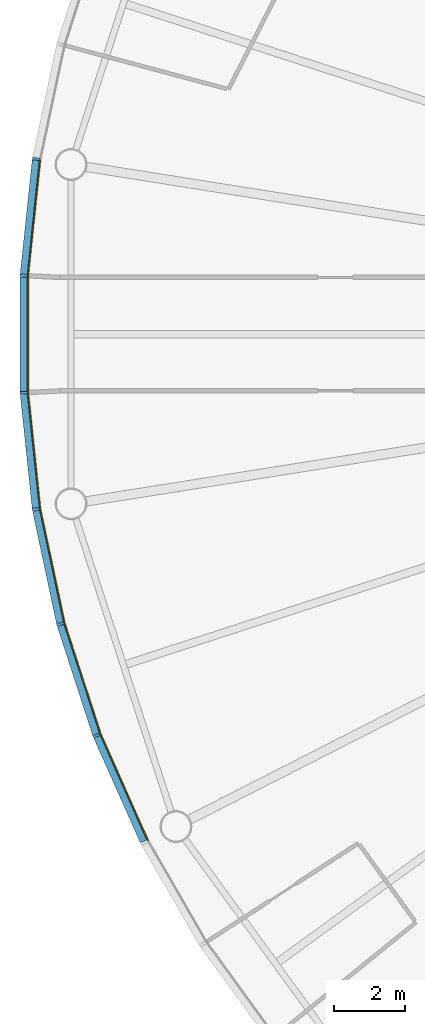
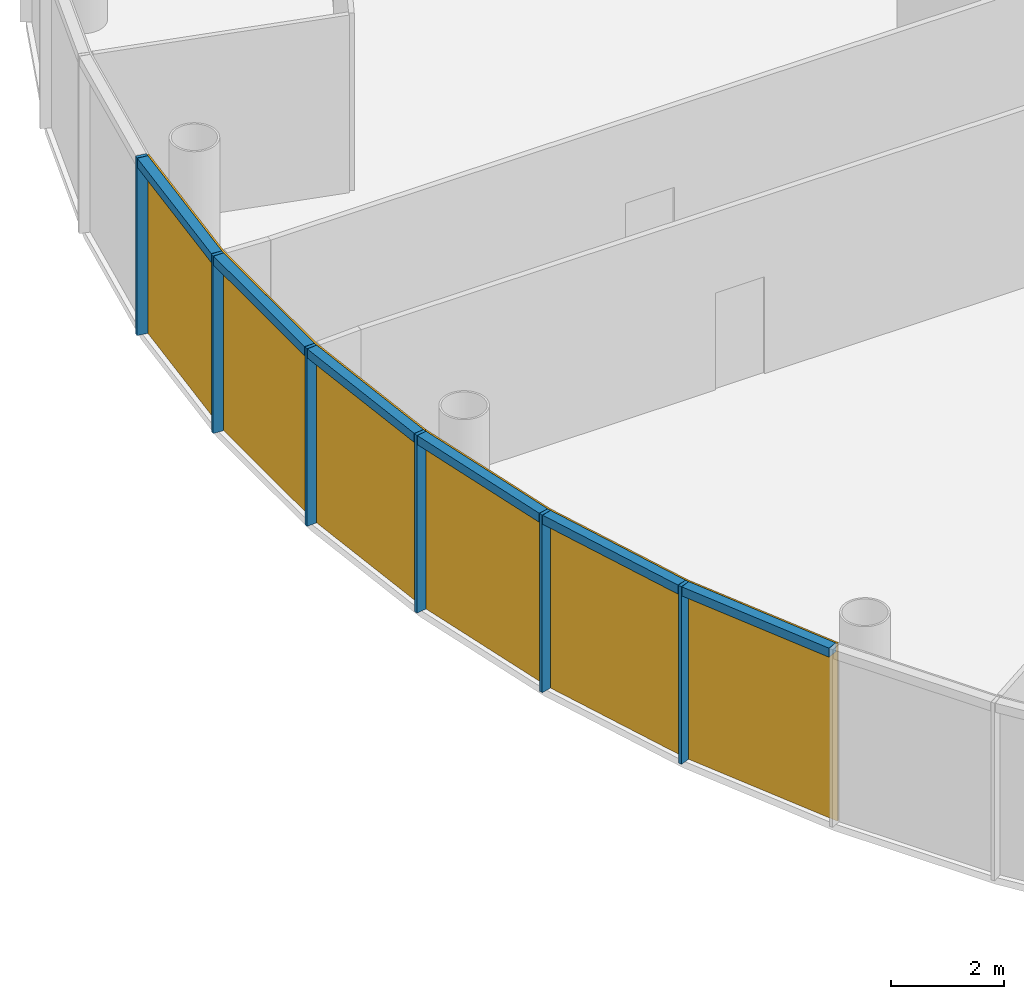
# One storey, part 8 of 13: 12 members, 2 curtain walls.
"""IFC4 building model written with IfcOpenShell, lengths in metres."""

from ifc_helpers import new_model, si_unit, direction, frame, origin, origin_2d, place, context, subcontext, project, spatial, polyline, rectangle, outline, extrude, material, layer, layer_set, material_profile, profile_set, type_object, element, aggregate, save


model = new_model("IFC4")

# Units and contexts
model_context = context("Model", 3, precision=1e-05, world=origin(), true_north=direction((0.0, 1.0)))
body_context = subcontext(model_context, "Body", "Model", "MODEL_VIEW")
ifc_project = project(units=[si_unit("LENGTHUNIT", "METRE"), si_unit("AREAUNIT", "SQUARE_METRE"), si_unit("VOLUMEUNIT", "CUBIC_METRE"), si_unit("PLANEANGLEUNIT", "RADIAN"), si_unit("MASSUNIT", "GRAM", prefix="KILO")], contexts=[model_context])

# Member
ifc_material_1 = material(Name="Anodised aluminium", Category="aluminium")
ifc_material_profile_1 = material_profile(ifc_material_1, rectangle(XDim=0.070068359375, YDim=0.205078125, at=origin_2d()), Name="Mullion 70 x 205 mm anodised aluminium")
ifc_profile_set_1 = profile_set([ifc_material_profile_1], Name="Anodised aluminium")
member_type_1 = type_object("IfcMemberType", Name="Mullion 70 x 205 mm anodised aluminium", PredefinedType="MULLION", material=ifc_profile_set_1)
site_placement = place(None, origin())
building_placement = place(site_placement, origin())
storey_placement = place(building_placement, frame((0.0, 0.0, 384.0)))
member_1_placement = place(storey_placement, frame((58.78662109375, 84.943603515625, 0.0), z_axis=(0.0, 0.0, 1.0), x_axis=(-0.15643446504, -0.987688340595, 0.0)))
member_1 = element("IfcMember", 1, at=member_1_placement, type_object=member_type_1, Name="MULLION L89-27", PredefinedType="MULLION", context=body_context, shape_type="SweptSolid", body=[
    extrude(rectangle(XDim=0.070068359375, YDim=0.205078125, at=origin_2d()), origin(), (0.0, 0.0, 1.0), 3.85009765625),
])

member_2_placement = place(storey_placement, frame((58.44091796875, 81.654052734375, 0.0), z_axis=(0.0, 0.0, 1.0), x_axis=(-0.052335956243, -0.998629534755, 0.0)))
member_2 = element("IfcMember", 2, at=member_2_placement, type_object=member_type_1, Name="MULLION L89-28", PredefinedType="MULLION", context=body_context, shape_type="SweptSolid", body=[
    extrude(rectangle(XDim=0.070068359375, YDim=0.205078125, at=origin_2d()), origin(), (0.0, 0.0, 1.0), 3.85009765625),
])

member_3_placement = place(storey_placement, frame((58.44091796875, 78.345947265625, 0.0), z_axis=(0.0, 0.0, 1.0), x_axis=(0.052335956243, -0.998629534755, 0.0)))
member_3 = element("IfcMember", 3, at=member_3_placement, type_object=member_type_1, Name="MULLION L89-29", PredefinedType="MULLION", context=body_context, shape_type="SweptSolid", body=[
    extrude(rectangle(XDim=0.070068359375, YDim=0.205078125, at=origin_2d()), origin(), (0.0, 0.0, 1.0), 3.85009765625),
])

member_4_placement = place(storey_placement, frame((58.78662109375, 75.056396484375, 0.0), z_axis=(0.0, 0.0, 1.0), x_axis=(0.15643446504, -0.987688340595, 0.0)))
member_4 = element("IfcMember", 4, at=member_4_placement, type_object=member_type_1, Name="MULLION L89-30", PredefinedType="MULLION", context=body_context, shape_type="SweptSolid", body=[
    extrude(rectangle(XDim=0.070068359375, YDim=0.205078125, at=origin_2d()), origin(), (0.0, 0.0, 1.0), 3.85009765625),
])

member_5_placement = place(storey_placement, frame((59.474365234375, 71.820556640625, 0.0), z_axis=(0.0, 0.0, 1.0), x_axis=(0.258819045103, -0.965925826289, 0.0)))
member_5 = element("IfcMember", 5, at=member_5_placement, type_object=member_type_1, Name="MULLION L89-31", PredefinedType="MULLION", context=body_context, shape_type="SweptSolid", body=[
    extrude(rectangle(XDim=0.070068359375, YDim=0.205078125, at=origin_2d()), origin(), (0.0, 0.0, 1.0), 3.85009765625),
])

member_6_placement = place(storey_placement, frame((60.49658203125, 68.674560546875, 0.0), z_axis=(0.0, 0.0, 1.0), x_axis=(0.358367949545, -0.933580426497, 0.0)))
member_6 = element("IfcMember", 6, at=member_6_placement, type_object=member_type_1, Name="MULLION L89-32", PredefinedType="MULLION", context=body_context, shape_type="SweptSolid", body=[
    extrude(rectangle(XDim=0.070068359375, YDim=0.205078125, at=origin_2d()), origin(), (0.0, 0.0, 1.0), 3.85009765625),
])

ifc_material_2 = material(Name="Anodised aluminium", Category="aluminium")
ifc_material_profile_2 = material_profile(ifc_material_2, rectangle(XDim=0.205078125, YDim=0.195068359375, at=origin_2d()), Name="Transom 195 x 205 mm anodised aluminium")
ifc_profile_set_2 = profile_set([ifc_material_profile_2], Name="Anodised aluminium")
member_type_2 = type_object("IfcMemberType", Name="Transom 195 x 205 mm anodised aluminium", PredefinedType="USERDEFINED", material=ifc_profile_set_2)
member_7_placement = place(storey_placement, frame((58.7822265625, 84.903564453125, 3.75244140625), z_axis=(-0.104550890115, -0.994519537956, 0.0), x_axis=(0.994519537956, -0.104550890115, 0.0)))
member_7 = element("IfcMember", 7, at=member_7_placement, type_object=member_type_2, Name="TRANSOM L89-27", ObjectType="TRANSOM", PredefinedType="USERDEFINED", context=body_context, shape_type="SweptSolid", body=[
    extrude(rectangle(XDim=0.205078125, YDim=0.195068359375, at=origin_2d()), origin(), (0.0, 0.0, 1.0), 3.22705078125),
])

member_8_placement = place(storey_placement, frame((58.440673828125, 81.613525390625, 3.75244140625), z_axis=(0.0, -1.0, 0.0), x_axis=(1.0, 0.0, 0.0)))
member_8 = element("IfcMember", 8, at=member_8_placement, type_object=member_type_2, Name="TRANSOM L89-28", ObjectType="TRANSOM", PredefinedType="USERDEFINED", context=body_context, shape_type="SweptSolid", body=[
    extrude(rectangle(XDim=0.205078125, YDim=0.195068359375, at=origin_2d()), origin(), (0.0, 0.0, 1.0), 3.22705078125),
])

member_9_placement = place(storey_placement, frame((58.44482421875, 78.305908203125, 3.75244140625), z_axis=(0.104550890115, -0.994519537956, 0.0), x_axis=(0.994519537956, 0.104550890115, 0.0)))
member_9 = element("IfcMember", 9, at=member_9_placement, type_object=member_type_2, Name="TRANSOM L89-29", ObjectType="TRANSOM", PredefinedType="USERDEFINED", context=body_context, shape_type="SweptSolid", body=[
    extrude(rectangle(XDim=0.205078125, YDim=0.195068359375, at=origin_2d()), origin(), (0.0, 0.0, 1.0), 3.22705078125),
])

member_10_placement = place(storey_placement, frame((58.794921875, 75.016845703125, 3.75244140625), z_axis=(0.207885898771, -0.978153082647, 0.0), x_axis=(0.978153082647, 0.207885898771, 0.0)))
member_10 = element("IfcMember", 10, at=member_10_placement, type_object=member_type_2, Name="TRANSOM L89-30", ObjectType="TRANSOM", PredefinedType="USERDEFINED", context=body_context, shape_type="SweptSolid", body=[
    extrude(rectangle(XDim=0.205078125, YDim=0.195068359375, at=origin_2d()), origin(), (0.0, 0.0, 1.0), 3.227294921875),
])

member_11_placement = place(storey_placement, frame((59.486572265625, 71.7822265625, 3.75244140625), z_axis=(0.309046726844, -0.951046855117, 0.0), x_axis=(0.951046855117, 0.309046726844, 0.0)))
member_11 = element("IfcMember", 11, at=member_11_placement, type_object=member_type_2, Name="TRANSOM L89-31", ObjectType="TRANSOM", PredefinedType="USERDEFINED", context=body_context, shape_type="SweptSolid", body=[
    extrude(rectangle(XDim=0.205078125, YDim=0.195068359375, at=origin_2d()), origin(), (0.0, 0.0, 1.0), 3.22705078125),
])

member_12_placement = place(storey_placement, frame((60.5126953125, 68.6376953125, 3.75244140625), z_axis=(0.406791170024, -0.913521178731, 0.0), x_axis=(0.913521178731, 0.406791170024, 0.0)))
member_12 = element("IfcMember", 12, at=member_12_placement, type_object=member_type_2, Name="TRANSOM L89-32", ObjectType="TRANSOM", PredefinedType="USERDEFINED", context=body_context, shape_type="SweptSolid", body=[
    extrude(rectangle(XDim=0.205078125, YDim=0.195068359375, at=origin_2d()), origin(), (0.0, 0.0, 1.0), 3.22705078125),
])

# Site, building, storey
site = spatial("IfcSite", under=ifc_project, at=site_placement, CompositionType="ELEMENT")
building = spatial("IfcBuilding", under=site, at=building_placement, Name="Entoto Ring Tower", CompositionType="ELEMENT")
storey = spatial("IfcBuildingStorey", under=building, at=storey_placement, Name="L89", CompositionType="ELEMENT", Elevation=384.0)

# Curtain wall
ifc_material_3 = material(Name="Clear low-iron glass", Category="glass")
ifc_layer = layer(ifc_material_3, 0.035888671875)
ifc_layer_set = layer_set([ifc_layer], Name="Clear low-iron glass")
curtain_wall_type = type_object("IfcCurtainWallType", Name="Curtain wall system CW6 glazing 36 mm", PredefinedType="NOTDEFINED", material=ifc_layer_set)
curtain_wall_1_placement = place(storey_placement, origin())
curtain_wall_1 = element("IfcCurtainWall", 13, at=curtain_wall_1_placement, inside=storey, type_object=curtain_wall_type, Name="CW6 L89-10", PredefinedType="NOTDEFINED", context=body_context, shape_type="SweptSolid", body=[
    extrude(outline(polyline([(58.8876953125, 84.927734375), (58.543212890625, 81.648681640625), (58.543212890625, 78.351318359375), (58.8876953125, 75.072265625), (58.92333984375, 75.077880859375), (58.5791015625, 78.353271484375), (58.5791015625, 81.646728515625), (58.92333984375, 84.922119140625), (58.8876953125, 84.927734375)])), origin(), (0.0, 0.0, 1.0), 3.85009765625),
])

aggregate(curtain_wall_1, [member_1, member_2, member_3, member_7, member_8, member_9])

curtain_wall_2_placement = place(storey_placement, origin())
curtain_wall_2 = element("IfcCurtainWall", 14, at=curtain_wall_2_placement, inside=storey, type_object=curtain_wall_type, Name="CW6 L89-11", PredefinedType="NOTDEFINED", context=body_context, shape_type="SweptSolid", body=[
    extrude(outline(polyline([(58.8876953125, 75.072265625), (59.5732421875, 71.84716796875), (60.59228515625, 68.71142578125), (61.933349609375, 65.69921875), (61.96533203125, 65.715576171875), (60.6259765625, 68.724365234375), (59.608154296875, 71.8564453125), (58.92333984375, 75.077880859375), (58.8876953125, 75.072265625)])), origin(), (0.0, 0.0, 1.0), 3.85009765625),
])

aggregate(curtain_wall_2, [member_4, member_5, member_6, member_10, member_11, member_12])

save(model, "model.ifc")
